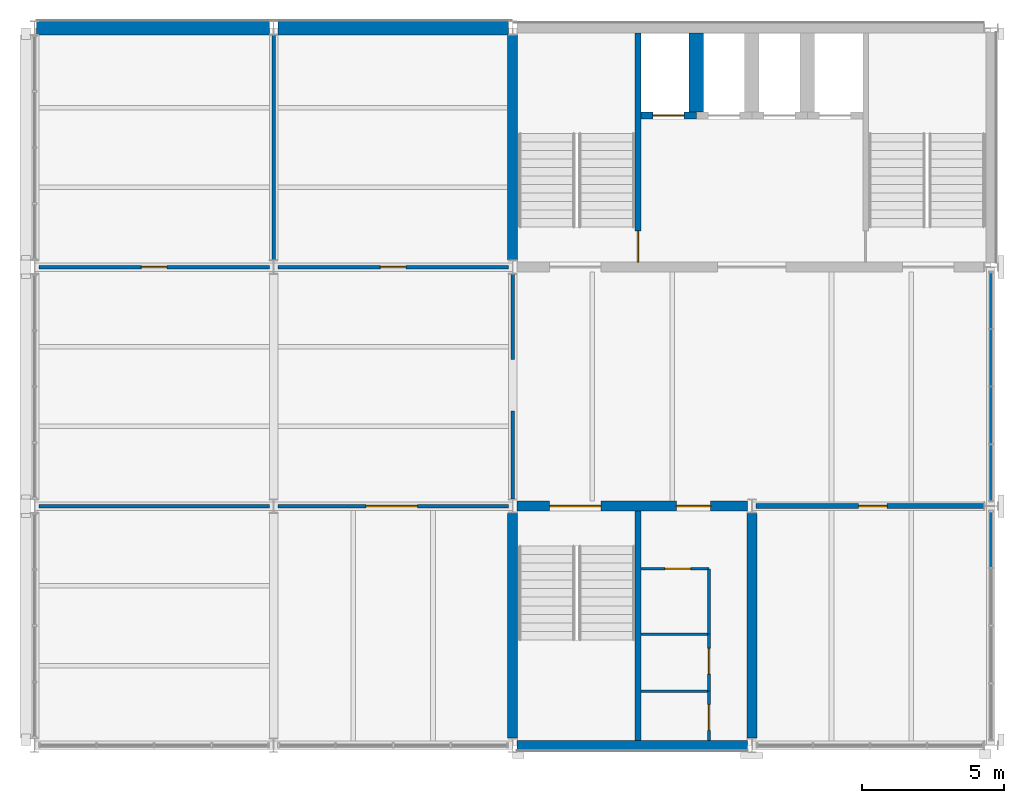
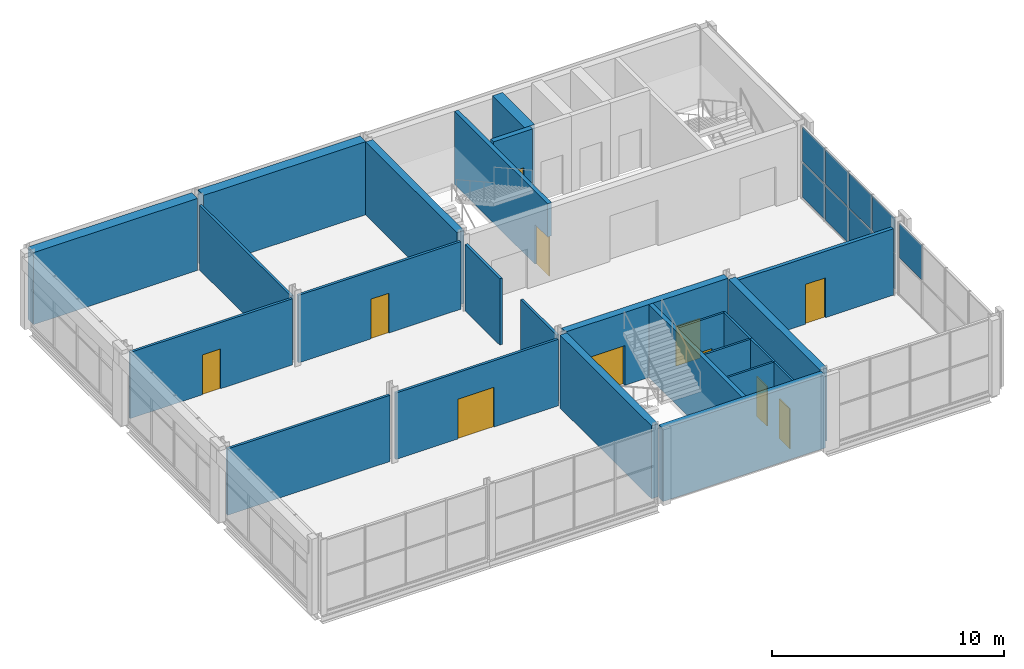
# One storey, part 8 of 12: 25 walls, 11 doors, 9 plates, 11 openings, 2 elements without a shape of their own.
"""IFC4 building model written with IfcOpenShell, lengths in metres."""

from ifc_helpers import new_model, si_unit, direction, frame, frame_2d, origin, origin_2d, place, context, subcontext, project, spatial, rectangle, extrude, material, layer, layer_set, type_object, element, fill, aggregate, save


model = new_model("IFC4")

# Units and contexts
model_context = context("Model", 3, precision=1e-05, world=origin(), true_north=direction((0.0, 1.0)))
body_context = subcontext(model_context, "Body", "Model", "MODEL_VIEW")
ifc_project = project(units=[si_unit("LENGTHUNIT", "METRE"), si_unit("AREAUNIT", "SQUARE_METRE"), si_unit("VOLUMEUNIT", "CUBIC_METRE"), si_unit("PLANEANGLEUNIT", "RADIAN"), si_unit("MASSUNIT", "GRAM", prefix="KILO")], contexts=[model_context])

# Site, building, storey
site_placement = place(None, origin())
site = spatial("IfcSite", under=ifc_project, at=site_placement, CompositionType="ELEMENT")
building_placement = place(site_placement, origin())
building = spatial("IfcBuilding", under=site, at=building_placement, Name="Galleria Vessillo Department Store", CompositionType="ELEMENT")
storey_placement = place(building_placement, frame((0.0, 0.0, 43.60009765625)))
storey = spatial("IfcBuildingStorey", under=building, at=storey_placement, Name="L09", CompositionType="ELEMENT", Elevation=43.60009765625)

# Curtain wall, plate
ifc_material_1 = material(Name="Aluminium and glass curtain wall", Category="aluminium")
ifc_layer_1 = layer(ifc_material_1, 0.159912109375)
ifc_layer_set_1 = layer_set([ifc_layer_1], Name="Aluminium and glass curtain wall")
curtain_wall_type = type_object("IfcCurtainWallType", Name="Tower curtain wall CW4 2100 module", PredefinedType="NOTDEFINED", material=ifc_layer_set_1)
curtain_wall_1_placement = place(storey_placement, origin())
curtain_wall_1 = element("IfcCurtainWall", 1, at=curtain_wall_1_placement, inside=storey, type_object=curtain_wall_type, Name="Tower curtain wall CW4 2100 module TE-L09-01", PredefinedType="NOTDEFINED")
ifc_material_2 = material(Name="Glass laminated 44.2 low-e", Category="glass")
ifc_layer_2 = layer(ifc_material_2, 0.028076171875)
ifc_layer_set_2 = layer_set([ifc_layer_2], Name="Glass laminated 44.2 low-e")
plate_type_1 = type_object("IfcPlateType", Name="Laminated glass panel 28 mm", PredefinedType="CURTAIN_PANEL", material=ifc_layer_set_2)
plate_1_placement = place(storey_placement, frame((117.60009765625, 45.0224609375, 1.955078125), z_axis=(0.0, 0.0, 1.0), x_axis=(0.0, 1.0, 0.0)))
plate_1 = element("IfcPlate", 2, at=plate_1_placement, type_object=plate_type_1, Name="CW4 panel 4.2", PredefinedType="CURTAIN_PANEL", context=body_context, shape_type="SweptSolid", body=[
    extrude(rectangle(XDim=1.93505859375, YDim=0.028076171875, at=origin_2d()), origin(), (0.0, 0.0, 1.0), 1.835205078125),
])
aggregate(curtain_wall_1, [plate_1])

# Curtain wall, plates
curtain_wall_2_placement = place(storey_placement, origin())
curtain_wall_2 = element("IfcCurtainWall", 3, at=curtain_wall_2_placement, inside=storey, type_object=curtain_wall_type, Name="Tower curtain wall CW4 2100 module TE-L09-02", PredefinedType="NOTDEFINED")
plate_2_placement = place(storey_placement, frame((117.60009765625, 47.37744140625, 1.955078125), z_axis=(0.0, 0.0, 1.0), x_axis=(0.0, 1.0, 0.0)))
plate_2 = element("IfcPlate", 4, at=plate_2_placement, type_object=plate_type_1, Name="CW4 panel 1.2", PredefinedType="CURTAIN_PANEL", context=body_context, shape_type="SweptSolid", body=[
    extrude(rectangle(XDim=1.93505859375, YDim=0.028076171875, at=origin_2d()), origin(), (0.0, 0.0, 1.0), 1.835205078125),
])
plate_3_placement = place(storey_placement, frame((117.60009765625, 49.387451171875, 1.955078125), z_axis=(0.0, 0.0, 1.0), x_axis=(0.0, 1.0, 0.0)))
plate_3 = element("IfcPlate", 5, at=plate_3_placement, type_object=plate_type_1, Name="CW4 panel 2.2", PredefinedType="CURTAIN_PANEL", context=body_context, shape_type="SweptSolid", body=[
    extrude(rectangle(XDim=1.965087890625, YDim=0.028076171875, at=origin_2d()), origin(), (0.0, 0.0, 1.0), 1.835205078125),
])
plate_4_placement = place(storey_placement, frame((117.60009765625, 51.41259765625, 1.955078125), z_axis=(0.0, 0.0, 1.0), x_axis=(0.0, 1.0, 0.0)))
plate_4 = element("IfcPlate", 6, at=plate_4_placement, type_object=plate_type_1, Name="CW4 panel 3.2", PredefinedType="CURTAIN_PANEL", context=body_context, shape_type="SweptSolid", body=[
    extrude(rectangle(XDim=1.965087890625, YDim=0.028076171875, at=origin_2d()), origin(), (0.0, 0.0, 1.0), 1.835205078125),
])
plate_5_placement = place(storey_placement, frame((117.60009765625, 53.422607421875, 1.955078125), z_axis=(0.0, 0.0, 1.0), x_axis=(0.0, 1.0, 0.0)))
plate_5 = element("IfcPlate", 7, at=plate_5_placement, type_object=plate_type_1, Name="CW4 panel 4.2", PredefinedType="CURTAIN_PANEL", context=body_context, shape_type="SweptSolid", body=[
    extrude(rectangle(XDim=1.93505859375, YDim=0.028076171875, at=origin_2d()), origin(), (0.0, 0.0, 1.0), 1.835205078125),
])
ifc_material_3 = material(Name="Limestone spandrel on aluminium tray", Category="masonry")
ifc_layer_3 = layer(ifc_material_3, 0.028076171875)
ifc_layer_set_3 = layer_set([ifc_layer_3], Name="Limestone spandrel on aluminium tray")
plate_type_2 = type_object("IfcPlateType", Name="Stone spandrel panel 28 mm", PredefinedType="CURTAIN_PANEL", material=ifc_layer_set_3)
plate_6_placement = place(storey_placement, frame((117.60009765625, 47.37744140625, 0.06005859375), z_axis=(0.0, 0.0, 1.0), x_axis=(0.0, 1.0, 0.0)))
plate_6 = element("IfcPlate", 8, at=plate_6_placement, type_object=plate_type_2, Name="CW4 panel 1.1", PredefinedType="CURTAIN_PANEL", context=body_context, shape_type="SweptSolid", body=[
    extrude(rectangle(XDim=1.93505859375, YDim=0.028076171875, at=origin_2d()), origin(), (0.0, 0.0, 1.0), 1.8349609375),
])
plate_7_placement = place(storey_placement, frame((117.60009765625, 49.387451171875, 0.06005859375), z_axis=(0.0, 0.0, 1.0), x_axis=(0.0, 1.0, 0.0)))
plate_7 = element("IfcPlate", 9, at=plate_7_placement, type_object=plate_type_2, Name="CW4 panel 2.1", PredefinedType="CURTAIN_PANEL", context=body_context, shape_type="SweptSolid", body=[
    extrude(rectangle(XDim=1.965087890625, YDim=0.028076171875, at=origin_2d()), origin(), (0.0, 0.0, 1.0), 1.8349609375),
])
plate_8_placement = place(storey_placement, frame((117.60009765625, 51.41259765625, 0.06005859375), z_axis=(0.0, 0.0, 1.0), x_axis=(0.0, 1.0, 0.0)))
plate_8 = element("IfcPlate", 10, at=plate_8_placement, type_object=plate_type_2, Name="CW4 panel 3.1", PredefinedType="CURTAIN_PANEL", context=body_context, shape_type="SweptSolid", body=[
    extrude(rectangle(XDim=1.965087890625, YDim=0.028076171875, at=origin_2d()), origin(), (0.0, 0.0, 1.0), 1.8349609375),
])
plate_9_placement = place(storey_placement, frame((117.60009765625, 53.422607421875, 0.06005859375), z_axis=(0.0, 0.0, 1.0), x_axis=(0.0, 1.0, 0.0)))
plate_9 = element("IfcPlate", 11, at=plate_9_placement, type_object=plate_type_2, Name="CW4 panel 4.1", PredefinedType="CURTAIN_PANEL", context=body_context, shape_type="SweptSolid", body=[
    extrude(rectangle(XDim=1.93505859375, YDim=0.028076171875, at=origin_2d()), origin(), (0.0, 0.0, 1.0), 1.8349609375),
])
aggregate(curtain_wall_2, [plate_6, plate_2, plate_7, plate_3, plate_8, plate_4, plate_9, plate_5])

# Wall, opening, door
ifc_material_4 = material(Name="Acoustic gypsum board partition")
ifc_layer_4 = layer(ifc_material_4, 0.175048828125)
ifc_layer_set_4 = layer_set([ifc_layer_4], Name="Acoustic gypsum board partition")
wall_type_1 = type_object("IfcWallType", Name="Acoustic conference partition 175 mm", PredefinedType="PARTITIONING", material=ifc_layer_set_4)
wall_1_placement = place(storey_placement, frame((109.349853515625, 46.199951171875, 0.0), z_axis=(0.0, 0.0, 1.0), x_axis=(1.0, 0.0, 0.0)))
wall_1 = element("IfcWall", 12, at=wall_1_placement, inside=storey, type_object=wall_type_1, Name="Partition wall PT6 on L09 no. 009", PredefinedType="PARTITIONING", context=body_context, shape_type="SweptSolid", body=[
    extrude(rectangle(XDim=8.000244140625, YDim=0.175048828125, at=frame_2d((4.0, 0.0))), origin(), (0.0, 0.0, 1.0), 3.5),
])
opening_1_placement = place(wall_1_placement, frame((3.60009765625, 0.0, 0.0)))
opening_1 = element("IfcOpeningElement", 13, at=opening_1_placement, cuts=wall_1, Name="Opening D3105", PredefinedType="OPENING", context=body_context, shape_type="SweptSolid", body=[
    extrude(rectangle(XDim=1.0, YDim=2.10009765625, at=frame_2d((0.5, 1.050048828125))), frame((0.0, 0.09765625, 0.0), z_axis=(0.0, -1.0, 0.0), x_axis=(1.0, 0.0, 0.0)), (0.0, 0.0, 1.0), 0.195068359375),
])
ifc_material_5 = material(Name="Timber and glass door leaf", Category="wood")
door_type_1 = type_object("IfcDoorType", Name="Floor door 1000 single leaf", OperationType="SINGLE_SWING_LEFT", PredefinedType="DOOR", material=ifc_material_5)
door_1_placement = place(opening_1_placement, frame((1.0, 0.0, 0.0), z_axis=(0.0, 0.0, 1.0), x_axis=(-1.0, 0.0, 0.0)))
door_1 = element("IfcDoor", 14, at=door_1_placement, inside=storey, type_object=door_type_1, Name="Door D3105", OperationType="SINGLE_SWING_RIGHT", OverallHeight=2.10009765625, OverallWidth=1.0, PredefinedType="DOOR", context=body_context, shape_type="SweptSolid", body=[
    extrude(rectangle(XDim=1.0, YDim=2.10009765625, at=frame_2d((0.5, 1.050048828125))), frame((0.0, 0.02490234375, 0.0), z_axis=(0.0, -1.0, 0.0), x_axis=(1.0, 0.0, 0.0)), (0.0, 0.0, 1.0), 0.050048828125),
])
fill(opening_1, door_1)

# Wall
ifc_material_6 = material(Name="Solid clay block masonry", Category="masonry")
ifc_layer_5 = layer(ifc_material_6, 0.5)
ifc_layer_set_5 = layer_set([ifc_layer_5], Name="Solid clay block masonry")
wall_type_2 = type_object("IfcWallType", Name="Lift shaft partition wall 500 mm", PredefinedType="SOLIDWALL", material=ifc_layer_set_5)
wall_2_placement = place(storey_placement, frame((107.25, 62.824951171875, 0.0), z_axis=(0.0, 0.0, 1.0), x_axis=(0.0, -1.0, 0.0)))
element("IfcWall", 15, at=wall_2_placement, inside=storey, type_object=wall_type_2, Name="Lift shaft partition wall T1 L09", PredefinedType="SOLIDWALL", context=body_context, shape_type="SweptSolid", body=[
    extrude(rectangle(XDim=2.77490234375, YDim=0.5, at=frame_2d((1.387451171875, 0.0))), origin(), (0.0, 0.0, 1.0), 4.0),
])

# Wall, opening, door
ifc_material_7 = material(Name="Solid clay block masonry", Category="masonry")
ifc_layer_6 = layer(ifc_material_7, 0.25)
ifc_layer_set_6 = layer_set([ifc_layer_6], Name="Solid clay block masonry")
wall_type_3 = type_object("IfcWallType", Name="Lift shaft wall 250 mm", PredefinedType="SOLIDWALL", material=ifc_layer_set_6)
wall_3_placement = place(storey_placement, frame((105.300048828125, 59.925048828125, 0.0), z_axis=(0.0, 0.0, 1.0), x_axis=(1.0, 0.0, 0.0)))
wall_3 = element("IfcWall", 16, at=wall_3_placement, inside=storey, type_object=wall_type_3, Name="Lift shaft wall T1 landing side L09", PredefinedType="SOLIDWALL", context=body_context, shape_type="SweptSolid", body=[
    extrude(rectangle(XDim=1.949951171875, YDim=0.25, at=frame_2d((0.97509765625, 0.0))), origin(), (0.0, 0.0, 1.0), 4.0),
])
opening_2_placement = place(wall_3_placement, frame((0.4248046875, 0.0, 0.0)))
opening_2 = element("IfcOpeningElement", 17, at=opening_2_placement, cuts=wall_3, Name="Opening LD109", PredefinedType="OPENING", context=body_context, shape_type="SweptSolid", body=[
    extrude(rectangle(XDim=1.10009765625, YDim=2.10009765625, at=frame_2d((0.550048828125, 1.050048828125))), frame((0.0, 0.135009765625, 0.0), z_axis=(0.0, -1.0, 0.0), x_axis=(1.0, 0.0, 0.0)), (0.0, 0.0, 1.0), 0.27001953125),
])
ifc_material_8 = material(Name="Stainless steel lift door panel", Category="steel")
door_type_2 = type_object("IfcDoorType", Name="Lift landing door LD110 sliding 1100 x 2100", OperationType="SLIDING_TO_LEFT", PredefinedType="DOOR", material=ifc_material_8)
door_2_placement = place(opening_2_placement, frame((1.10009765625, 0.0, 0.0), z_axis=(0.0, 0.0, 1.0), x_axis=(-1.0, 0.0, 0.0)))
door_2 = element("IfcDoor", 18, at=door_2_placement, inside=storey, type_object=door_type_2, Name="Lift landing door T1 L09", OperationType="SLIDING_TO_RIGHT", OverallHeight=2.10009765625, OverallWidth=1.10009765625, PredefinedType="DOOR", context=body_context, shape_type="SweptSolid", body=[
    extrude(rectangle(XDim=1.10009765625, YDim=2.10009765625, at=frame_2d((0.550048828125, 1.050048828125))), frame((0.0, 0.02490234375, 0.0), z_axis=(0.0, -1.0, 0.0), x_axis=(1.0, 0.0, 0.0)), (0.0, 0.0, 1.0), 0.050048828125),
])
fill(opening_2, door_2)

# Wall
ifc_material_9 = material(Name="Gypsum board partition")
ifc_layer_7 = layer(ifc_material_9, 0.125)
ifc_layer_set_7 = layer_set([ifc_layer_7], Name="Gypsum board partition")
wall_type_4 = type_object("IfcWallType", Name="Office partition 125 mm", PredefinedType="PARTITIONING", material=ifc_layer_set_7)
wall_4_placement = place(storey_placement, frame((84.14990234375, 46.199951171875, 0.0), z_axis=(0.0, 0.0, 1.0), x_axis=(1.0, 0.0, 0.0)))
element("IfcWall", 19, at=wall_4_placement, inside=storey, type_object=wall_type_4, Name="Partition wall PT2 on L09 no. 007", PredefinedType="PARTITIONING", context=body_context, shape_type="SweptSolid", body=[
    extrude(rectangle(XDim=8.10009765625, YDim=0.125, at=frame_2d((4.050048828125, 0.0))), origin(), (0.0, 0.0, 1.0), 3.489990234375),
])

# Wall, opening, door
wall_5_placement = place(storey_placement, frame((92.5498046875, 46.199951171875, 0.0), z_axis=(0.0, 0.0, 1.0), x_axis=(1.0, 0.0, 0.0)))
wall_5 = element("IfcWall", 20, at=wall_5_placement, inside=storey, type_object=wall_type_4, Name="Partition wall PT2 on L09 no. 008", PredefinedType="PARTITIONING", context=body_context, shape_type="SweptSolid", body=[
    extrude(rectangle(XDim=8.100341796875, YDim=0.125, at=frame_2d((4.05029296875, 0.0))), origin(), (0.0, 0.0, 1.0), 3.5),
])
opening_3_placement = place(wall_5_placement, frame((3.10009765625, 0.0, 0.0)))
opening_3 = element("IfcOpeningElement", 21, at=opening_3_placement, cuts=wall_5, Name="Opening D3104", PredefinedType="OPENING", context=body_context, shape_type="SweptSolid", body=[
    extrude(rectangle(XDim=1.800048828125, YDim=2.10009765625, at=frame_2d((0.89990234375, 1.050048828125))), frame((0.0, 0.072509765625, 0.0), z_axis=(0.0, -1.0, 0.0), x_axis=(1.0, 0.0, 0.0)), (0.0, 0.0, 1.0), 0.14501953125),
])
ifc_material_10 = material(Name="Timber and glass door leaf", Category="wood")
door_type_3 = type_object("IfcDoorType", Name="Floor door 1800 double leaf", OperationType="DOUBLE_DOOR_SINGLE_SWING", PredefinedType="DOOR", material=ifc_material_10)
door_3_placement = place(opening_3_placement, origin())
door_3 = element("IfcDoor", 22, at=door_3_placement, inside=storey, type_object=door_type_3, Name="Door D3104", OperationType="DOUBLE_DOOR_SINGLE_SWING", OverallHeight=2.10009765625, OverallWidth=1.800048828125, PredefinedType="DOOR", context=body_context, shape_type="SweptSolid", body=[
    extrude(rectangle(XDim=1.800048828125, YDim=2.10009765625, at=frame_2d((0.89990234375, 1.050048828125))), frame((0.0, 0.02490234375, 0.0), z_axis=(0.0, -1.0, 0.0), x_axis=(1.0, 0.0, 0.0)), (0.0, 0.0, 1.0), 0.050048828125),
])
fill(opening_3, door_3)

# Walls
wall_6_placement = place(storey_placement, frame((100.800048828125, 46.449951171875, 0.0), z_axis=(0.0, 0.0, 1.0), x_axis=(0.0, 1.0, 0.0)))
element("IfcWall", 23, at=wall_6_placement, inside=storey, type_object=wall_type_4, Name="Partition wall PT2 on L09 no. 010", PredefinedType="PARTITIONING", context=body_context, shape_type="SweptSolid", body=[
    extrude(rectangle(XDim=3.10009765625, YDim=0.125, at=frame_2d((1.550048828125, 0.0))), origin(), (0.0, 0.0, 1.0), 3.5),
])
wall_7_placement = place(storey_placement, frame((100.800048828125, 51.349853515625, 0.0), z_axis=(0.0, 0.0, 1.0), x_axis=(0.0, 1.0, 0.0)))
element("IfcWall", 24, at=wall_7_placement, inside=storey, type_object=wall_type_4, Name="Partition wall PT2 on L09 no. 011", PredefinedType="PARTITIONING", context=body_context, shape_type="SweptSolid", body=[
    extrude(rectangle(XDim=3.000244140625, YDim=0.125, at=frame_2d((1.5, 0.0))), origin(), (0.0, 0.0, 1.0), 3.5),
])

# Wall, opening, door
wall_8_placement = place(storey_placement, frame((84.14990234375, 54.60009765625, 0.0), z_axis=(0.0, 0.0, 1.0), x_axis=(1.0, 0.0, 0.0)))
wall_8 = element("IfcWall", 25, at=wall_8_placement, inside=storey, type_object=wall_type_4, Name="Partition wall PT2 on L09 no. 012", PredefinedType="PARTITIONING", context=body_context, shape_type="SweptSolid", body=[
    extrude(rectangle(XDim=8.10009765625, YDim=0.125, at=frame_2d((4.050048828125, 0.0))), origin(), (0.0, 0.0, 1.0), 3.489990234375),
])
opening_4_placement = place(wall_8_placement, frame((3.60009765625, 0.0, 0.0)))
opening_4 = element("IfcOpeningElement", 26, at=opening_4_placement, cuts=wall_8, Name="Opening D3106", PredefinedType="OPENING", context=body_context, shape_type="SweptSolid", body=[
    extrude(rectangle(XDim=0.89990234375, YDim=2.10009765625, at=frame_2d((0.449951171875, 1.050048828125))), frame((0.0, 0.072509765625, 0.0), z_axis=(0.0, -1.0, 0.0), x_axis=(1.0, 0.0, 0.0)), (0.0, 0.0, 1.0), 0.14501953125),
])
ifc_material_11 = material(Name="Timber and glass door leaf", Category="wood")
door_type_4 = type_object("IfcDoorType", Name="Floor door 900 single leaf", OperationType="SINGLE_SWING_LEFT", PredefinedType="DOOR", material=ifc_material_11)
door_4_placement = place(opening_4_placement, origin())
door_4 = element("IfcDoor", 27, at=door_4_placement, inside=storey, type_object=door_type_4, Name="Door D3106", OperationType="SINGLE_SWING_LEFT", OverallHeight=2.10009765625, OverallWidth=0.89990234375, PredefinedType="DOOR", context=body_context, shape_type="SweptSolid", body=[
    extrude(rectangle(XDim=0.89990234375, YDim=2.10009765625, at=frame_2d((0.449951171875, 1.050048828125))), frame((0.0, 0.02490234375, 0.0), z_axis=(0.0, -1.0, 0.0), x_axis=(1.0, 0.0, 0.0)), (0.0, 0.0, 1.0), 0.050048828125),
])
fill(opening_4, door_4)

wall_9_placement = place(storey_placement, frame((92.5498046875, 54.60009765625, 0.0), z_axis=(0.0, 0.0, 1.0), x_axis=(1.0, 0.0, 0.0)))
wall_9 = element("IfcWall", 28, at=wall_9_placement, inside=storey, type_object=wall_type_4, Name="Partition wall PT2 on L09 no. 013", PredefinedType="PARTITIONING", context=body_context, shape_type="SweptSolid", body=[
    extrude(rectangle(XDim=8.100341796875, YDim=0.125, at=frame_2d((4.05029296875, 0.0))), origin(), (0.0, 0.0, 1.0), 3.56005859375),
])
opening_5_placement = place(wall_9_placement, frame((3.60009765625, 0.0, 0.0)))
opening_5 = element("IfcOpeningElement", 29, at=opening_5_placement, cuts=wall_9, Name="Opening D3107", PredefinedType="OPENING", context=body_context, shape_type="SweptSolid", body=[
    extrude(rectangle(XDim=0.89990234375, YDim=2.10009765625, at=frame_2d((0.449951171875, 1.050048828125))), frame((0.0, 0.072509765625, 0.0), z_axis=(0.0, -1.0, 0.0), x_axis=(1.0, 0.0, 0.0)), (0.0, 0.0, 1.0), 0.14501953125),
])
door_5_placement = place(opening_5_placement, origin())
door_5 = element("IfcDoor", 30, at=door_5_placement, inside=storey, type_object=door_type_4, Name="Door D3107", OperationType="SINGLE_SWING_RIGHT", OverallHeight=2.10009765625, OverallWidth=0.89990234375, PredefinedType="DOOR", context=body_context, shape_type="SweptSolid", body=[
    extrude(rectangle(XDim=0.89990234375, YDim=2.10009765625, at=frame_2d((0.449951171875, 1.050048828125))), frame((0.0, 0.02490234375, 0.0), z_axis=(0.0, -1.0, 0.0), x_axis=(1.0, 0.0, 0.0)), (0.0, 0.0, 1.0), 0.050048828125),
])
fill(opening_5, door_5)

# Walls
wall_10_placement = place(storey_placement, frame((92.39990234375, 54.85009765625, 0.0), z_axis=(0.0, 0.0, 1.0), x_axis=(0.0, 1.0, 0.0)))
element("IfcWall", 31, at=wall_10_placement, inside=storey, type_object=wall_type_4, Name="Partition wall PT2 on L09 no. 014", PredefinedType="PARTITIONING", context=body_context, shape_type="SweptSolid", body=[
    extrude(rectangle(XDim=7.89990234375, YDim=0.125, at=frame_2d((3.949951171875, 0.0))), origin(), (0.0, 0.0, 1.0), 3.409912109375),
])
ifc_material_12 = material(Name="Concrete C32/40 reinforced", Category="concrete")
ifc_layer_8 = layer(ifc_material_12, 0.35009765625)
ifc_layer_set_8 = layer_set([ifc_layer_8], Name="Concrete C32/40 reinforced")
wall_type_5 = type_object("IfcWallType", Name="Reinforced concrete core wall 350 mm", PredefinedType="SHEAR", material=ifc_layer_set_8)
wall_11_placement = place(storey_placement, frame((100.800048828125, 54.85009765625, 0.0), z_axis=(0.0, 0.0, 1.0), x_axis=(0.0, 1.0, 0.0)))
element("IfcWall", 32, at=wall_11_placement, inside=storey, type_object=wall_type_5, Name="S-CW-TC-WEST-L09", PredefinedType="SHEAR", context=body_context, shape_type="SweptSolid", body=[
    extrude(rectangle(XDim=7.89990234375, YDim=0.35009765625, at=frame_2d((3.949951171875, 0.0))), origin(), (0.0, 0.0, 1.0), 3.85009765625),
])

# Wall, openings, doors
wall_12_placement = place(storey_placement, frame((100.949951171875, 46.199951171875, 0.0), z_axis=(0.0, 0.0, 1.0), x_axis=(1.0, 0.0, 0.0)))
wall_12 = element("IfcWall", 33, at=wall_12_placement, inside=storey, type_object=wall_type_5, Name="S-CW-TS-INTERIOR-L09", PredefinedType="SHEAR", context=body_context, shape_type="SweptSolid", body=[
    extrude(rectangle(XDim=8.10009765625, YDim=0.35009765625, at=frame_2d((4.050048828125, 0.0))), origin(), (0.0, 0.0, 1.0), 3.85009765625),
])
opening_6_placement = place(wall_12_placement, frame((1.14990234375, 0.0, 0.0)))
opening_6 = element("IfcOpeningElement", 34, at=opening_6_placement, cuts=wall_12, Name="Opening D5327", PredefinedType="OPENING", context=body_context, shape_type="SweptSolid", body=[
    extrude(rectangle(XDim=1.800048828125, YDim=2.10009765625, at=frame_2d((0.89990234375, 1.050048828125))), frame((0.0, 0.18505859375, 0.0), z_axis=(0.0, -1.0, 0.0), x_axis=(1.0, 0.0, 0.0)), (0.0, 0.0, 1.0), 0.3701171875),
])
opening_7_placement = place(wall_12_placement, frame((5.599853515625, 0.0, 0.0)))
opening_7 = element("IfcOpeningElement", 35, at=opening_7_placement, cuts=wall_12, Name="Opening D5328", PredefinedType="OPENING", context=body_context, shape_type="SweptSolid", body=[
    extrude(rectangle(XDim=1.199951171875, YDim=2.10009765625, at=frame_2d((0.60009765625, 1.050048828125))), frame((0.0, 0.18505859375, 0.0), z_axis=(0.0, -1.0, 0.0), x_axis=(1.0, 0.0, 0.0)), (0.0, 0.0, 1.0), 0.3701171875),
])
ifc_material_13 = material(Name="Fire-rated steel door leaf", Category="steel")
door_type_5 = type_object("IfcDoorType", Name="Door D120F fire door 1200 x 2100", OperationType="SINGLE_SWING_LEFT", PredefinedType="DOOR", material=ifc_material_13)
door_6_placement = place(opening_7_placement, frame((1.199951171875, 0.0, 0.0), z_axis=(0.0, 0.0, 1.0), x_axis=(-1.0, 0.0, 0.0)))
door_6 = element("IfcDoor", 36, at=door_6_placement, inside=storey, type_object=door_type_5, Name="Lobby door TS-WC-FLOOR L09", OperationType="SINGLE_SWING_LEFT", OverallHeight=2.10009765625, OverallWidth=1.199951171875, PredefinedType="DOOR", context=body_context, shape_type="SweptSolid", body=[
    extrude(rectangle(XDim=1.199951171875, YDim=2.10009765625, at=frame_2d((0.60009765625, 1.050048828125))), frame((0.0, 0.02490234375, 0.0), z_axis=(0.0, -1.0, 0.0), x_axis=(1.0, 0.0, 0.0)), (0.0, 0.0, 1.0), 0.050048828125),
])
fill(opening_7, door_6)
ifc_material_14 = material(Name="Fire-rated steel door leaf", Category="steel")
door_type_6 = type_object("IfcDoorType", Name="Door D180F double leaf 1800 x 2100", OperationType="DOUBLE_DOOR_SINGLE_SWING", PredefinedType="DOOR", material=ifc_material_14)
door_7_placement = place(opening_6_placement, frame((1.800048828125, 0.0, 0.0), z_axis=(0.0, 0.0, 1.0), x_axis=(-1.0, 0.0, 0.0)))
door_7 = element("IfcDoor", 37, at=door_7_placement, inside=storey, type_object=door_type_6, Name="Lobby door TS-ST12-FLOOR L09", OperationType="DOUBLE_DOOR_SINGLE_SWING", OverallHeight=2.10009765625, OverallWidth=1.800048828125, PredefinedType="DOOR", context=body_context, shape_type="SweptSolid", body=[
    extrude(rectangle(XDim=1.800048828125, YDim=2.10009765625, at=frame_2d((0.89990234375, 1.050048828125))), frame((0.0, 0.02490234375, 0.0), z_axis=(0.0, -1.0, 0.0), x_axis=(1.0, 0.0, 0.0)), (0.0, 0.0, 1.0), 0.050048828125),
])
fill(opening_6, door_7)

# Walls
for number, where, z_axis, x_axis, name in (
    (38, (100.800048828125, 38.050048828125, 0.0), (0.0, 0.0, 1.0), (0.0, 1.0, 0.0), "S-CW-TS-WEST-L09"),
    (39, (109.199951171875, 38.050048828125, 0.0), (0.0, 0.0, 1.0), (0.0, 1.0, 0.0), "S-CW-TS-EAST-L09"),
):
    element("IfcWall", number, at=place(storey_placement, frame(where, z_axis=z_axis, x_axis=x_axis)), inside=storey, type_object=wall_type_5, Name=name, PredefinedType="SHEAR", context=body_context, shape_type="SweptSolid", body=[
        extrude(rectangle(XDim=7.89990234375, YDim=0.35009765625, at=frame_2d((3.949951171875, 0.0))), origin(), (0.0, 0.0, 1.0), 3.85009765625),
    ])
ifc_material_15 = material(Name="Concrete C32/40 reinforced", Category="concrete")
ifc_layer_9 = layer(ifc_material_15, 0.35009765625)
ifc_layer_set_9 = layer_set([ifc_layer_9], Name="Concrete C32/40 reinforced")
wall_type_6 = type_object("IfcWallType", Name="Reinforced concrete core wall 350 mm, external", PredefinedType="SHEAR", material=ifc_layer_set_9)
wall_13_placement = place(storey_placement, frame((100.949951171875, 37.800048828125, 0.0), z_axis=(0.0, 0.0, 1.0), x_axis=(1.0, 0.0, 0.0)))
element("IfcWall", 40, at=wall_13_placement, inside=storey, type_object=wall_type_6, Name="S-CW-TS-PARTY-L09", PredefinedType="SHEAR", context=body_context, shape_type="SweptSolid", body=[
    extrude(rectangle(XDim=8.10009765625, YDim=0.35009765625, at=frame_2d((4.050048828125, 0.0))), origin(), (0.0, 0.0, 1.0), 3.85009765625),
])
ifc_material_16 = material(Name="Concrete C32/40 reinforced", Category="concrete")
ifc_layer_10 = layer(ifc_material_16, 0.5)
ifc_layer_set_10 = layer_set([ifc_layer_10], Name="Concrete C32/40 reinforced")
wall_type_7 = type_object("IfcWallType", Name="Reinforced concrete party wall 500 mm", PredefinedType="SHEAR", material=ifc_layer_set_10)
wall_14_placement = place(storey_placement, frame((84.074951171875, 63.0, 0.0), z_axis=(0.0, 0.0, 1.0), x_axis=(1.0, 0.0, 0.0)))
element("IfcWall", 41, at=wall_14_placement, inside=storey, type_object=wall_type_7, Name="S-TN-L09-01", PredefinedType="SHEAR", context=body_context, shape_type="SweptSolid", body=[
    extrude(rectangle(XDim=8.175048828125, YDim=0.5, at=frame_2d((4.08740234375, 0.0))), origin(), (0.0, 0.0, 1.0), 3.800048828125),
])
wall_15_placement = place(storey_placement, frame((92.5498046875, 63.0, 0.0), z_axis=(0.0, 0.0, 1.0), x_axis=(1.0, 0.0, 0.0)))
element("IfcWall", 42, at=wall_15_placement, inside=storey, type_object=wall_type_7, Name="S-TN-L09-02", PredefinedType="SHEAR", context=body_context, shape_type="SweptSolid", body=[
    extrude(rectangle(XDim=8.100341796875, YDim=0.5, at=frame_2d((4.05029296875, 0.0))), origin(), (0.0, 0.0, 1.0), 3.85009765625),
])

# Wall, opening, door
ifc_material_17 = material(Name="Concrete C32/40 reinforced", Category="concrete")
ifc_layer_11 = layer(ifc_material_17, 0.199951171875)
ifc_layer_set_11 = layer_set([ifc_layer_11], Name="Concrete C32/40 reinforced")
wall_type_8 = type_object("IfcWallType", Name="Reinforced concrete stair enclosure wall 200 mm", PredefinedType="SHEAR", material=ifc_layer_set_11)
wall_16_placement = place(storey_placement, frame((105.199951171875, 62.824951171875, 0.0), z_axis=(0.0, 0.0, 1.0), x_axis=(0.0, -1.0, 0.0)))
wall_16 = element("IfcWall", 43, at=wall_16_placement, inside=storey, type_object=wall_type_8, Name="Stair enclosure wall TC L09", PredefinedType="SHEAR", context=body_context, shape_type="SweptSolid", body=[
    extrude(rectangle(XDim=8.050048828125, YDim=0.199951171875, at=frame_2d((4.02490234375, 0.0))), origin(), (0.0, 0.0, 1.0), 3.849853515625),
])
opening_8_placement = place(wall_16_placement, frame((6.949951171875, 0.0, 0.0)))
opening_8 = element("IfcOpeningElement", 44, at=opening_8_placement, cuts=wall_16, Name="Opening D5285", PredefinedType="OPENING", context=body_context, shape_type="SweptSolid", body=[
    extrude(rectangle(XDim=1.11009765625, YDim=2.10009765625, at=frame_2d((0.554931640625, 1.050048828125))), frame((0.0, 0.10986328125, 0.0), z_axis=(0.0, -1.0, 0.0), x_axis=(1.0, 0.0, 0.0)), (0.0, 0.0, 1.0), 0.219970703125),
])
ifc_material_18 = material(Name="Fire-rated steel door leaf", Category="steel")
door_type_7 = type_object("IfcDoorType", Name="Door D110F stair door 1100 x 2100", OperationType="SINGLE_SWING_LEFT", PredefinedType="DOOR", material=ifc_material_18)
door_8_placement = place(opening_8_placement, frame((1.10009765625, 0.0, 0.0), z_axis=(0.0, 0.0, 1.0), x_axis=(-1.0, 0.0, 0.0)))
door_8 = element("IfcDoor", 45, at=door_8_placement, inside=storey, type_object=door_type_7, Name="Stair door TC-ST8-LOBBY L09", OperationType="SINGLE_SWING_LEFT", OverallHeight=2.10009765625, OverallWidth=1.10009765625, PredefinedType="DOOR", context=body_context, shape_type="SweptSolid", body=[
    extrude(rectangle(XDim=1.10009765625, YDim=2.10009765625, at=frame_2d((0.550048828125, 1.050048828125))), frame((0.0, 0.02490234375, 0.0), z_axis=(0.0, -1.0, 0.0), x_axis=(1.0, 0.0, 0.0)), (0.0, 0.0, 1.0), 0.050048828125),
])
fill(opening_8, door_8)

# Wall
wall_17_placement = place(storey_placement, frame((105.199951171875, 37.97509765625, 0.0), z_axis=(0.0, 0.0, 1.0), x_axis=(0.0, 1.0, 0.0)))
element("IfcWall", 46, at=wall_17_placement, inside=storey, type_object=wall_type_8, Name="Stair enclosure wall TS L09", PredefinedType="SHEAR", context=body_context, shape_type="SweptSolid", body=[
    extrude(rectangle(XDim=8.050048828125, YDim=0.199951171875, at=frame_2d((4.02490234375, 0.0))), origin(), (0.0, 0.0, 1.0), 3.849853515625),
])

# Wall, opening, door
ifc_material_19 = material(Name="Moisture-resistant board partition")
ifc_layer_12 = layer(ifc_material_19, 0.10009765625)
ifc_layer_set_12 = layer_set([ifc_layer_12], Name="Moisture-resistant board partition")
wall_type_9 = type_object("IfcWallType", Name="WC and cubicle partition 100 mm", PredefinedType="PARTITIONING", material=ifc_layer_set_12)
wall_18_placement = place(storey_placement, frame((105.300048828125, 44.0, 0.0), z_axis=(0.0, 0.0, 1.0), x_axis=(1.0, 0.0, 0.0)))
wall_18 = element("IfcWall", 47, at=wall_18_placement, inside=storey, type_object=wall_type_9, Name="Partition wall PT1 on L09 no. 001", PredefinedType="PARTITIONING", context=body_context, shape_type="SweptSolid", body=[
    extrude(rectangle(XDim=2.39990234375, YDim=0.10009765625, at=frame_2d((1.199951171875, 0.0))), origin(), (0.0, 0.0, 1.0), 3.780029296875),
])
opening_9_placement = place(wall_18_placement, frame((0.85009765625, 0.0, 0.0)))
opening_9 = element("IfcOpeningElement", 48, at=opening_9_placement, cuts=wall_18, Name="Opening D3101", PredefinedType="OPENING", context=body_context, shape_type="SweptSolid", body=[
    extrude(rectangle(XDim=0.89990234375, YDim=2.10009765625, at=frame_2d((0.449951171875, 1.050048828125))), frame((0.0, 0.06005859375, 0.0), z_axis=(0.0, -1.0, 0.0), x_axis=(1.0, 0.0, 0.0)), (0.0, 0.0, 1.0), 0.1201171875),
])
door_9_placement = place(opening_9_placement, origin())
door_9 = element("IfcDoor", 49, at=door_9_placement, inside=storey, type_object=door_type_4, Name="Door D3101", OperationType="SINGLE_SWING_LEFT", OverallHeight=2.10009765625, OverallWidth=0.89990234375, PredefinedType="DOOR", context=body_context, shape_type="SweptSolid", body=[
    extrude(rectangle(XDim=0.89990234375, YDim=2.10009765625, at=frame_2d((0.449951171875, 1.050048828125))), frame((0.0, 0.02490234375, 0.0), z_axis=(0.0, -1.0, 0.0), x_axis=(1.0, 0.0, 0.0)), (0.0, 0.0, 1.0), 0.050048828125),
])
fill(opening_9, door_9)

# Wall
wall_19_placement = place(storey_placement, frame((107.699951171875, 41.699951171875, 0.0), z_axis=(0.0, 0.0, 1.0), x_axis=(0.0, 1.0, 0.0)))
element("IfcWall", 50, at=wall_19_placement, inside=storey, type_object=wall_type_9, Name="Partition wall PT1 on L09 no. 002", PredefinedType="PARTITIONING", context=body_context, shape_type="SweptSolid", body=[
    extrude(rectangle(XDim=2.300048828125, YDim=0.10009765625, at=frame_2d((1.14990234375, 0.0))), origin(), (0.0, 0.0, 1.0), 3.780029296875),
])

# Wall, opening, door
wall_20_placement = place(storey_placement, frame((107.699951171875, 39.699951171875, 0.0), z_axis=(0.0, 0.0, 1.0), x_axis=(0.0, 1.0, 0.0)))
wall_20 = element("IfcWall", 51, at=wall_20_placement, inside=storey, type_object=wall_type_9, Name="Partition wall PT1 on L09 no. 003", PredefinedType="PARTITIONING", context=body_context, shape_type="SweptSolid", body=[
    extrude(rectangle(XDim=2.0, YDim=0.10009765625, at=frame_2d((1.0, 0.0))), origin(), (0.0, 0.0, 1.0), 3.780029296875),
])
opening_10_placement = place(wall_20_placement, frame((0.60009765625, 0.0, 0.0)))
opening_10 = element("IfcOpeningElement", 52, at=opening_10_placement, cuts=wall_20, Name="Opening D3102", PredefinedType="OPENING", context=body_context, shape_type="SweptSolid", body=[
    extrude(rectangle(XDim=0.89990234375, YDim=2.10009765625, at=frame_2d((0.449951171875, 1.050048828125))), frame((0.0, 0.06005859375, 0.0), z_axis=(0.0, -1.0, 0.0), x_axis=(1.0, 0.0, 0.0)), (0.0, 0.0, 1.0), 0.1201171875),
])
door_10_placement = place(opening_10_placement, frame((0.89990234375, 0.0, 0.0), z_axis=(0.0, 0.0, 1.0), x_axis=(-1.0, 0.0, 0.0)))
door_10 = element("IfcDoor", 53, at=door_10_placement, inside=storey, type_object=door_type_4, Name="Door D3102", OperationType="SINGLE_SWING_RIGHT", OverallHeight=2.10009765625, OverallWidth=0.89990234375, PredefinedType="DOOR", context=body_context, shape_type="SweptSolid", body=[
    extrude(rectangle(XDim=0.89990234375, YDim=2.10009765625, at=frame_2d((0.449951171875, 1.050048828125))), frame((0.0, 0.02490234375, 0.0), z_axis=(0.0, -1.0, 0.0), x_axis=(1.0, 0.0, 0.0)), (0.0, 0.0, 1.0), 0.050048828125),
])
fill(opening_10, door_10)

wall_21_placement = place(storey_placement, frame((107.699951171875, 37.97509765625, 0.0), z_axis=(0.0, 0.0, 1.0), x_axis=(0.0, 1.0, 0.0)))
wall_21 = element("IfcWall", 54, at=wall_21_placement, inside=storey, type_object=wall_type_9, Name="Partition wall PT1 on L09 no. 004", PredefinedType="PARTITIONING", context=body_context, shape_type="SweptSolid", body=[
    extrude(rectangle(XDim=1.724853515625, YDim=0.10009765625, at=frame_2d((0.8623046875, 0.0))), origin(), (0.0, 0.0, 1.0), 3.780029296875),
])
opening_11_placement = place(wall_21_placement, frame((0.35009765625, 0.0, 0.0)))
opening_11 = element("IfcOpeningElement", 55, at=opening_11_placement, cuts=wall_21, Name="Opening D3103", PredefinedType="OPENING", context=body_context, shape_type="SweptSolid", body=[
    extrude(rectangle(XDim=0.89990234375, YDim=2.10009765625, at=frame_2d((0.449951171875, 1.050048828125))), frame((0.0, 0.06005859375, 0.0), z_axis=(0.0, -1.0, 0.0), x_axis=(1.0, 0.0, 0.0)), (0.0, 0.0, 1.0), 0.1201171875),
])
ifc_material_20 = material(Name="Timber and glass door leaf", Category="wood")
door_type_8 = type_object("IfcDoorType", Name="Accessible WC door 900 sliding", OperationType="SLIDING_TO_LEFT", PredefinedType="DOOR", material=ifc_material_20)
door_11_placement = place(opening_11_placement, origin())
door_11 = element("IfcDoor", 56, at=door_11_placement, inside=storey, type_object=door_type_8, Name="Door D3103", OperationType="SLIDING_TO_RIGHT", OverallHeight=2.10009765625, OverallWidth=0.89990234375, PredefinedType="DOOR", context=body_context, shape_type="SweptSolid", body=[
    extrude(rectangle(XDim=0.89990234375, YDim=2.10009765625, at=frame_2d((0.449951171875, 1.050048828125))), frame((0.0, 0.02490234375, 0.0), z_axis=(0.0, -1.0, 0.0), x_axis=(1.0, 0.0, 0.0)), (0.0, 0.0, 1.0), 0.050048828125),
])
fill(opening_11, door_11)

# Walls
for number, where, z_axis, x_axis, name in (
    (57, (105.300048828125, 41.699951171875, 0.0), (0.0, 0.0, 1.0), (1.0, 0.0, 0.0), "Partition wall PT1 on L09 no. 005"),
    (58, (105.300048828125, 39.699951171875, 0.0), (0.0, 0.0, 1.0), (1.0, 0.0, 0.0), "Partition wall PT1 on L09 no. 006"),
):
    element("IfcWall", number, at=place(storey_placement, frame(where, z_axis=z_axis, x_axis=x_axis)), inside=storey, type_object=wall_type_9, Name=name, PredefinedType="PARTITIONING", context=body_context, shape_type="SweptSolid", body=[
        extrude(rectangle(XDim=2.39990234375, YDim=0.10009765625, at=frame_2d((1.199951171875, 0.0))), origin(), (0.0, 0.0, 1.0), 3.780029296875),
    ])

save(model, "model.ifc")
